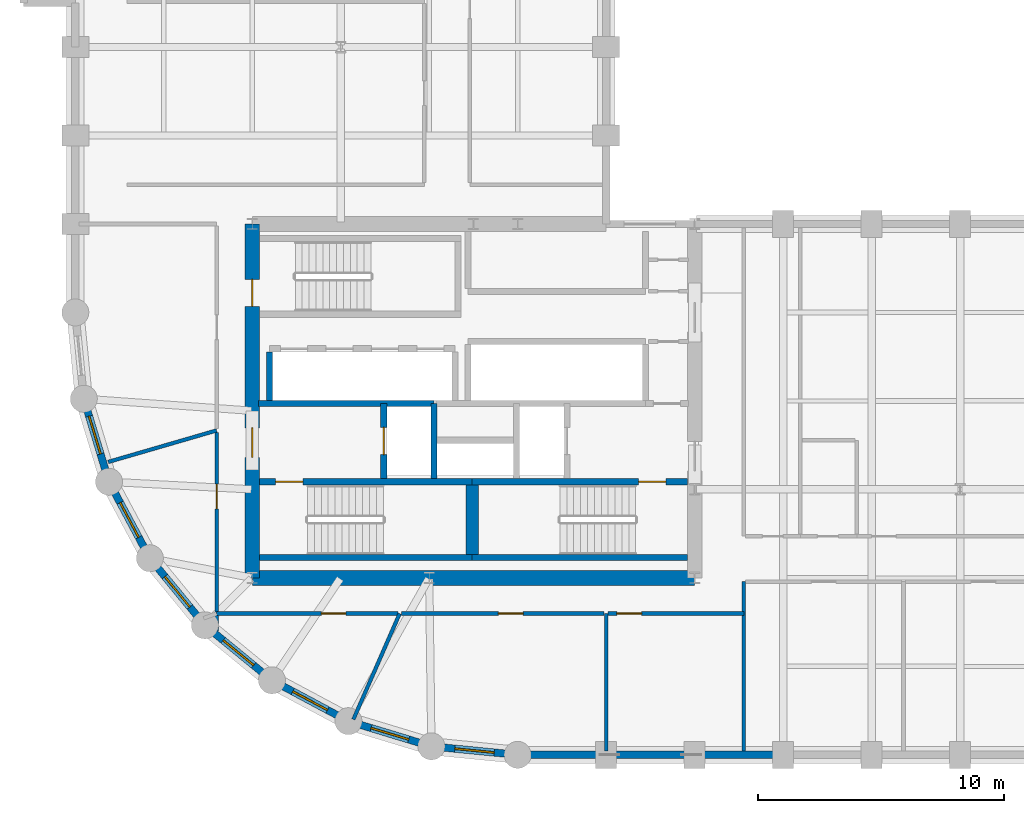
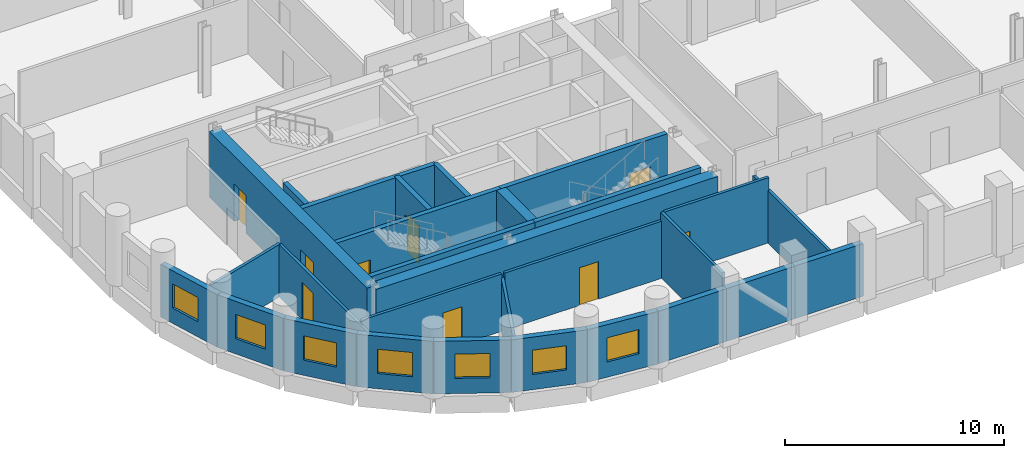
# One storey, part 3 of 8: 29 walls, 9 doors, 7 windows, 16 openings.
"""IFC4 building model written with IfcOpenShell, lengths in metres."""

from ifc_helpers import new_model, si_unit, direction, frame, frame_2d, origin, place, context, subcontext, project, spatial, rectangle, extrude, material, layer, layer_set, type_object, element, fill, save


model = new_model("IFC4")

# Units and contexts
model_context = context("Model", 3, precision=1e-05, world=origin(), true_north=direction((0.0, 1.0)))
body_context = subcontext(model_context, "Body", "Model", "MODEL_VIEW")
ifc_project = project(units=[si_unit("LENGTHUNIT", "METRE"), si_unit("AREAUNIT", "SQUARE_METRE"), si_unit("VOLUMEUNIT", "CUBIC_METRE"), si_unit("PLANEANGLEUNIT", "RADIAN"), si_unit("MASSUNIT", "GRAM", prefix="KILO")], contexts=[model_context])

# Site, building, storey
site_placement = place(None, origin())
site = spatial("IfcSite", under=ifc_project, at=site_placement, CompositionType="ELEMENT")
building_placement = place(site_placement, origin())
building = spatial("IfcBuilding", under=site, at=building_placement, Name="Solnavia Interchange Tower", CompositionType="ELEMENT")
storey_placement = place(building_placement, frame((0.0, 0.0, 84.0)))
storey = spatial("IfcBuildingStorey", under=building, at=storey_placement, Name="L20", CompositionType="ELEMENT", Elevation=84.0)

# Walls
ifc_material_1 = material(Name="Concrete C40/50", Category="concrete")
ifc_layer_1 = layer(ifc_material_1, 0.300048828125)
ifc_layer_set_1 = layer_set([ifc_layer_1], Name="Concrete C40/50")
wall_type_1 = type_object("IfcWallType", Name="Wall-ExtSpandrel-300", PredefinedType="STANDARD", material=ifc_layer_set_1)
wall_1_placement = place(storey_placement, frame((28.800048828125, 3.60009765625, 0.0), z_axis=(0.0, 0.0, 1.0), x_axis=(-1.0, 0.0, 0.0)))
element("IfcWall", 1, at=wall_1_placement, inside=storey, type_object=wall_type_1, Name="EXW-L20-01 Exterior precast spandrel wall", PredefinedType="STANDARD", context=body_context, shape_type="SweptSolid", body=[
    extrude(rectangle(XDim=3.60009765625, YDim=0.300048828125, at=frame_2d((1.800048828125, 0.0))), origin(), (0.0, 0.0, 1.0), 2.929931640625),
])
wall_2_placement = place(storey_placement, frame((32.39990234375, 3.60009765625, 0.0), z_axis=(0.0, 0.0, 1.0), x_axis=(-1.0, 0.0, 0.0)))
element("IfcWall", 2, at=wall_2_placement, inside=storey, type_object=wall_type_1, Name="EXW-L20-02 Exterior precast spandrel wall", PredefinedType="STANDARD", context=body_context, shape_type="SweptSolid", body=[
    extrude(rectangle(XDim=3.599853515625, YDim=0.300048828125, at=frame_2d((1.7998046875, 0.0))), origin(), (0.0, 0.0, 1.0), 2.929931640625),
])
wall_3_placement = place(storey_placement, frame((36.0, 3.60009765625, 0.0), z_axis=(0.0, 0.0, 1.0), x_axis=(-1.0, 0.0, 0.0)))
element("IfcWall", 3, at=wall_3_placement, inside=storey, type_object=wall_type_1, Name="EXW-L20-03 Exterior precast spandrel wall", PredefinedType="STANDARD", context=body_context, shape_type="SweptSolid", body=[
    extrude(rectangle(XDim=3.60009765625, YDim=0.300048828125, at=frame_2d((1.800048828125, 0.0))), origin(), (0.0, 0.0, 1.0), 2.929931640625),
])

# Wall, opening, window
wall_4_placement = place(storey_placement, frame((8.570068359375, 14.7119140625, 0.0), z_axis=(0.0, 0.0, 1.0), x_axis=(-0.290305086481, 0.956934144423, 0.0)))
wall_4 = element("IfcWall", 4, at=wall_4_placement, inside=storey, type_object=wall_type_1, Name="EXW-L20-56 Exterior precast spandrel wall", PredefinedType="STANDARD", context=body_context, shape_type="SweptSolid", body=[
    extrude(rectangle(XDim=3.52783203125, YDim=0.300048828125, at=frame_2d((1.763916015625, 0.0))), origin(), (0.0, 0.0, 1.0), 2.929931640625),
])
opening_1_placement = place(wall_4_placement, frame((1.18408203125, 0.0, 0.85009765625)))
opening_1 = element("IfcOpeningElement", 5, at=opening_1_placement, cuts=wall_4, Name="Opening WIN-04", PredefinedType="OPENING", context=body_context, shape_type="SweptSolid", body=[
    extrude(rectangle(XDim=1.60009765625, YDim=1.35009765625, at=frame_2d((0.800048828125, 0.675048828125))), frame((0.0, 0.16015625, 0.0), z_axis=(0.0, -1.0, 0.0), x_axis=(1.0, 0.0, 0.0)), (0.0, 0.0, 1.0), 0.320068359375),
])
ifc_material_2 = material(Name="Thermal-Break Aluminium & Low-E Glass", Category="aluminium")
window_type = type_object("IfcWindowType", Name="Window-Drum-1600x1350", PartitioningType="SINGLE_PANEL", PredefinedType="WINDOW", material=ifc_material_2)
window_1_placement = place(opening_1_placement, origin())
window_1 = element("IfcWindow", 6, at=window_1_placement, inside=storey, type_object=window_type, Name="WIN-L20-56 Facade ribbon window", OverallHeight=1.35009765625, OverallWidth=1.60009765625, PartitioningType="SINGLE_PANEL", PredefinedType="WINDOW", context=body_context, shape_type="SweptSolid", body=[
    extrude(rectangle(XDim=1.60009765625, YDim=1.35009765625, at=frame_2d((0.800048828125, 0.675048828125))), frame((0.0, 0.030029296875, 0.0), z_axis=(0.0, -1.0, 0.0), x_axis=(1.0, 0.0, 0.0)), (0.0, 0.0, 1.0), 0.06005859375),
])
fill(opening_1, window_1)

wall_5_placement = place(storey_placement, frame((10.23388671875, 11.60009765625, 0.0), z_axis=(0.0, 0.0, 1.0), x_axis=(-0.47151087309, 0.881860247748, 0.0)))
wall_5 = element("IfcWall", 7, at=wall_5_placement, inside=storey, type_object=wall_type_1, Name="EXW-L20-57 Exterior precast spandrel wall", PredefinedType="STANDARD", context=body_context, shape_type="SweptSolid", body=[
    extrude(rectangle(XDim=3.52880859375, YDim=0.300048828125, at=frame_2d((1.764404296875, 0.0))), origin(), (0.0, 0.0, 1.0), 2.929931640625),
])
opening_2_placement = place(wall_5_placement, frame((0.964111328125, 0.0, 0.85009765625)))
opening_2 = element("IfcOpeningElement", 8, at=opening_2_placement, cuts=wall_5, Name="Opening WIN-04", PredefinedType="OPENING", context=body_context, shape_type="SweptSolid", body=[
    extrude(rectangle(XDim=1.60009765625, YDim=1.35009765625, at=frame_2d((0.800048828125, 0.675048828125))), frame((0.0, 0.16015625, 0.0), z_axis=(0.0, -1.0, 0.0), x_axis=(1.0, 0.0, 0.0)), (0.0, 0.0, 1.0), 0.320068359375),
])
window_2_placement = place(opening_2_placement, origin())
window_2 = element("IfcWindow", 9, at=window_2_placement, inside=storey, type_object=window_type, Name="WIN-L20-57 Facade ribbon window", OverallHeight=1.35009765625, OverallWidth=1.60009765625, PartitioningType="SINGLE_PANEL", PredefinedType="WINDOW", context=body_context, shape_type="SweptSolid", body=[
    extrude(rectangle(XDim=1.60009765625, YDim=1.35009765625, at=frame_2d((0.800048828125, 0.675048828125))), frame((0.0, 0.030029296875, 0.0), z_axis=(0.0, -1.0, 0.0), x_axis=(1.0, 0.0, 0.0)), (0.0, 0.0, 1.0), 0.06005859375),
])
fill(opening_2, window_2)

wall_6_placement = place(storey_placement, frame((12.471923828125, 8.8720703125, 0.0), z_axis=(0.0, 0.0, 1.0), x_axis=(-0.634258295121, 0.773121216285, 0.0)))
wall_6 = element("IfcWall", 10, at=wall_6_placement, inside=storey, type_object=wall_type_1, Name="EXW-L20-58 Exterior precast spandrel wall", PredefinedType="STANDARD", context=body_context, shape_type="SweptSolid", body=[
    extrude(rectangle(XDim=3.528564453125, YDim=0.300048828125, at=frame_2d((1.76416015625, 0.0))), origin(), (0.0, 0.0, 1.0), 2.929931640625),
])
opening_3_placement = place(wall_6_placement, frame((0.964111328125, 0.0, 0.85009765625)))
opening_3 = element("IfcOpeningElement", 11, at=opening_3_placement, cuts=wall_6, Name="Opening WIN-04", PredefinedType="OPENING", context=body_context, shape_type="SweptSolid", body=[
    extrude(rectangle(XDim=1.60009765625, YDim=1.35009765625, at=frame_2d((0.800048828125, 0.675048828125))), frame((0.0, 0.16015625, 0.0), z_axis=(0.0, -1.0, 0.0), x_axis=(1.0, 0.0, 0.0)), (0.0, 0.0, 1.0), 0.320068359375),
])
window_3_placement = place(opening_3_placement, origin())
window_3 = element("IfcWindow", 12, at=window_3_placement, inside=storey, type_object=window_type, Name="WIN-L20-58 Facade ribbon window", OverallHeight=1.35009765625, OverallWidth=1.60009765625, PartitioningType="SINGLE_PANEL", PredefinedType="WINDOW", context=body_context, shape_type="SweptSolid", body=[
    extrude(rectangle(XDim=1.60009765625, YDim=1.35009765625, at=frame_2d((0.800048828125, 0.675048828125))), frame((0.0, 0.030029296875, 0.0), z_axis=(0.0, -1.0, 0.0), x_axis=(1.0, 0.0, 0.0)), (0.0, 0.0, 1.0), 0.06005859375),
])
fill(opening_3, window_3)

wall_7_placement = place(storey_placement, frame((15.199951171875, 6.634033203125, 0.0), z_axis=(0.0, 0.0, 1.0), x_axis=(-0.773121216285, 0.634258295121, 0.0)))
wall_7 = element("IfcWall", 13, at=wall_7_placement, inside=storey, type_object=wall_type_1, Name="EXW-L20-59 Exterior precast spandrel wall", PredefinedType="STANDARD", context=body_context, shape_type="SweptSolid", body=[
    extrude(rectangle(XDim=3.528564453125, YDim=0.300048828125, at=frame_2d((1.76416015625, 0.0))), origin(), (0.0, 0.0, 1.0), 2.929931640625),
])
opening_4_placement = place(wall_7_placement, frame((0.964111328125, 0.0, 0.85009765625)))
opening_4 = element("IfcOpeningElement", 14, at=opening_4_placement, cuts=wall_7, Name="Opening WIN-04", PredefinedType="OPENING", context=body_context, shape_type="SweptSolid", body=[
    extrude(rectangle(XDim=1.60009765625, YDim=1.35009765625, at=frame_2d((0.800048828125, 0.675048828125))), frame((0.0, 0.16015625, 0.0), z_axis=(0.0, -1.0, 0.0), x_axis=(1.0, 0.0, 0.0)), (0.0, 0.0, 1.0), 0.320068359375),
])
window_4_placement = place(opening_4_placement, origin())
window_4 = element("IfcWindow", 15, at=window_4_placement, inside=storey, type_object=window_type, Name="WIN-L20-59 Facade ribbon window", OverallHeight=1.35009765625, OverallWidth=1.60009765625, PartitioningType="SINGLE_PANEL", PredefinedType="WINDOW", context=body_context, shape_type="SweptSolid", body=[
    extrude(rectangle(XDim=1.60009765625, YDim=1.35009765625, at=frame_2d((0.800048828125, 0.675048828125))), frame((0.0, 0.030029296875, 0.0), z_axis=(0.0, -1.0, 0.0), x_axis=(1.0, 0.0, 0.0)), (0.0, 0.0, 1.0), 0.06005859375),
])
fill(opening_4, window_4)

wall_8_placement = place(storey_placement, frame((18.31201171875, 4.969970703125, 0.0), z_axis=(0.0, 0.0, 1.0), x_axis=(-0.881846862014, 0.471535907389, 0.0)))
wall_8 = element("IfcWall", 16, at=wall_8_placement, inside=storey, type_object=wall_type_1, Name="EXW-L20-60 Exterior precast spandrel wall", PredefinedType="STANDARD", context=body_context, shape_type="SweptSolid", body=[
    extrude(rectangle(XDim=3.529052734375, YDim=0.300048828125, at=frame_2d((1.7646484375, 0.0))), origin(), (0.0, 0.0, 1.0), 2.929931640625),
])
opening_5_placement = place(wall_8_placement, frame((0.964111328125, 0.0, 0.85009765625)))
opening_5 = element("IfcOpeningElement", 17, at=opening_5_placement, cuts=wall_8, Name="Opening WIN-04", PredefinedType="OPENING", context=body_context, shape_type="SweptSolid", body=[
    extrude(rectangle(XDim=1.60009765625, YDim=1.35009765625, at=frame_2d((0.800048828125, 0.675048828125))), frame((0.0, 0.16015625, 0.0), z_axis=(0.0, -1.0, 0.0), x_axis=(1.0, 0.0, 0.0)), (0.0, 0.0, 1.0), 0.320068359375),
])
window_5_placement = place(opening_5_placement, origin())
window_5 = element("IfcWindow", 18, at=window_5_placement, inside=storey, type_object=window_type, Name="WIN-L20-60 Facade ribbon window", OverallHeight=1.35009765625, OverallWidth=1.60009765625, PartitioningType="SINGLE_PANEL", PredefinedType="WINDOW", context=body_context, shape_type="SweptSolid", body=[
    extrude(rectangle(XDim=1.60009765625, YDim=1.35009765625, at=frame_2d((0.800048828125, 0.675048828125))), frame((0.0, 0.030029296875, 0.0), z_axis=(0.0, -1.0, 0.0), x_axis=(1.0, 0.0, 0.0)), (0.0, 0.0, 1.0), 0.06005859375),
])
fill(opening_5, window_5)

wall_9_placement = place(storey_placement, frame((21.68798828125, 3.946044921875, 0.0), z_axis=(0.0, 0.0, 1.0), x_axis=(-0.956953367403, 0.290241714123, 0.0)))
wall_9 = element("IfcWall", 19, at=wall_9_placement, inside=storey, type_object=wall_type_1, Name="EXW-L20-61 Exterior precast spandrel wall", PredefinedType="STANDARD", context=body_context, shape_type="SweptSolid", body=[
    extrude(rectangle(XDim=3.52783203125, YDim=0.300048828125, at=frame_2d((1.763916015625, 0.0))), origin(), (0.0, 0.0, 1.0), 2.929931640625),
])
opening_6_placement = place(wall_9_placement, frame((0.964111328125, 0.0, 0.85009765625)))
opening_6 = element("IfcOpeningElement", 20, at=opening_6_placement, cuts=wall_9, Name="Opening WIN-04", PredefinedType="OPENING", context=body_context, shape_type="SweptSolid", body=[
    extrude(rectangle(XDim=1.60009765625, YDim=1.35009765625, at=frame_2d((0.800048828125, 0.675048828125))), frame((0.0, 0.16015625, 0.0), z_axis=(0.0, -1.0, 0.0), x_axis=(1.0, 0.0, 0.0)), (0.0, 0.0, 1.0), 0.320068359375),
])
window_6_placement = place(opening_6_placement, origin())
window_6 = element("IfcWindow", 21, at=window_6_placement, inside=storey, type_object=window_type, Name="WIN-L20-61 Facade ribbon window", OverallHeight=1.35009765625, OverallWidth=1.60009765625, PartitioningType="SINGLE_PANEL", PredefinedType="WINDOW", context=body_context, shape_type="SweptSolid", body=[
    extrude(rectangle(XDim=1.60009765625, YDim=1.35009765625, at=frame_2d((0.800048828125, 0.675048828125))), frame((0.0, 0.030029296875, 0.0), z_axis=(0.0, -1.0, 0.0), x_axis=(1.0, 0.0, 0.0)), (0.0, 0.0, 1.0), 0.06005859375),
])
fill(opening_6, window_6)

wall_10_placement = place(storey_placement, frame((25.199951171875, 3.60009765625, 0.0), z_axis=(0.0, 0.0, 1.0), x_axis=(-0.995183369056, 0.098030923459, 0.0)))
wall_10 = element("IfcWall", 22, at=wall_10_placement, inside=storey, type_object=wall_type_1, Name="EXW-L20-62 Exterior precast spandrel wall", PredefinedType="STANDARD", context=body_context, shape_type="SweptSolid", body=[
    extrude(rectangle(XDim=3.529052734375, YDim=0.300048828125, at=frame_2d((1.7646484375, 0.0))), origin(), (0.0, 0.0, 1.0), 2.929931640625),
])
opening_7_placement = place(wall_10_placement, frame((0.965087890625, 0.0, 0.85009765625)))
opening_7 = element("IfcOpeningElement", 23, at=opening_7_placement, cuts=wall_10, Name="Opening WIN-04", PredefinedType="OPENING", context=body_context, shape_type="SweptSolid", body=[
    extrude(rectangle(XDim=1.60009765625, YDim=1.35009765625, at=frame_2d((0.800048828125, 0.675048828125))), frame((0.0, 0.16015625, 0.0), z_axis=(0.0, -1.0, 0.0), x_axis=(1.0, 0.0, 0.0)), (0.0, 0.0, 1.0), 0.320068359375),
])
window_7_placement = place(opening_7_placement, origin())
window_7 = element("IfcWindow", 24, at=window_7_placement, inside=storey, type_object=window_type, Name="WIN-L20-62 Facade ribbon window", OverallHeight=1.35009765625, OverallWidth=1.60009765625, PartitioningType="SINGLE_PANEL", PredefinedType="WINDOW", context=body_context, shape_type="SweptSolid", body=[
    extrude(rectangle(XDim=1.60009765625, YDim=1.35009765625, at=frame_2d((0.800048828125, 0.675048828125))), frame((0.0, 0.030029296875, 0.0), z_axis=(0.0, -1.0, 0.0), x_axis=(1.0, 0.0, 0.0)), (0.0, 0.0, 1.0), 0.06005859375),
])
fill(opening_7, window_7)

# Walls
ifc_material_3 = material(Name="Gypsum Plasterboard & Steel Stud", Category="steel")
ifc_layer_2 = layer(ifc_material_3, 0.14990234375)
ifc_layer_set_2 = layer_set([ifc_layer_2], Name="Gypsum Plasterboard & Steel Stud")
wall_type_2 = type_object("IfcWallType", Name="Wall-Partition-150", PredefinedType="PARTITIONING", material=ifc_layer_set_2)
wall_11_placement = place(storey_placement, frame((28.800048828125, 9.35009765625, 0.0), z_axis=(0.0, 0.0, 1.0), x_axis=(0.0, -1.0, 0.0)))
element("IfcWall", 25, at=wall_11_placement, inside=storey, type_object=wall_type_2, Name="PTW-L20-08 Interior partition wall", PredefinedType="PARTITIONING", context=body_context, shape_type="SweptSolid", body=[
    extrude(rectangle(XDim=5.59619140625, YDim=0.14990234375, at=frame_2d((2.798095703125, 0.0))), origin(), (0.0, 0.0, 1.0), 3.635009765625),
])
wall_12_placement = place(storey_placement, frame((12.949951171875, 16.800048828125, 0.0), z_axis=(0.0, 0.0, 1.0), x_axis=(-0.960237798553, -0.279183398915, 0.0)))
element("IfcWall", 26, at=wall_12_placement, inside=storey, type_object=wall_type_2, Name="PTW-L20-09 Interior partition wall", PredefinedType="PARTITIONING", context=body_context, shape_type="SweptSolid", body=[
    extrude(rectangle(XDim=4.5927734375, YDim=0.14990234375, at=frame_2d((2.29638671875, 0.0))), origin(), (0.0, 0.0, 1.0), 2.929931640625),
])
wall_13_placement = place(storey_placement, frame((20.39990234375, 9.35009765625, 0.0), z_axis=(0.0, 0.0, 1.0), x_axis=(-0.400957621756, -0.916096602742, 0.0)))
element("IfcWall", 27, at=wall_13_placement, inside=storey, type_object=wall_type_2, Name="PTW-L20-11 Interior partition wall", PredefinedType="PARTITIONING", context=body_context, shape_type="SweptSolid", body=[
    extrude(rectangle(XDim=4.7060546875, YDim=0.14990234375, at=frame_2d((2.35302734375, 0.0))), origin(), (0.0, 0.0, 1.0), 2.929931640625),
])

# Wall, opening, door
wall_14_placement = place(storey_placement, frame((12.949951171875, 8.6337890625, 0.0), z_axis=(0.0, 0.0, 1.0), x_axis=(0.0, 1.0, 0.0)))
wall_14 = element("IfcWall", 28, at=wall_14_placement, inside=storey, type_object=wall_type_2, Name="PTW-L20-13 Interior partition wall", PredefinedType="PARTITIONING", context=body_context, shape_type="SweptSolid", body=[
    extrude(rectangle(XDim=8.087158203125, YDim=0.14990234375, at=frame_2d((4.04345703125, 0.0))), origin(), (0.0, 0.0, 1.0), 2.929931640625),
])
opening_8_placement = place(wall_14_placement, frame((4.97705078125, 0.0, 0.0)))
opening_8 = element("IfcOpeningElement", 29, at=opening_8_placement, cuts=wall_14, Name="Opening DR-07", PredefinedType="OPENING", context=body_context, shape_type="SweptSolid", body=[
    extrude(rectangle(XDim=1.0, YDim=2.10009765625, at=frame_2d((0.5, 1.050048828125))), frame((0.0, 0.0849609375, 0.0), z_axis=(0.0, -1.0, 0.0), x_axis=(1.0, 0.0, 0.0)), (0.0, 0.0, 1.0), 0.169921875),
])
ifc_material_4 = material(Name="Timber & Acoustic Glazed Office Door", Category="wood")
door_type_1 = type_object("IfcDoorType", Name="Door-Office-1000x2100", OperationType="SINGLE_SWING_RIGHT", PredefinedType="DOOR", material=ifc_material_4)
door_1_placement = place(opening_8_placement, origin())
door_1 = element("IfcDoor", 30, at=door_1_placement, inside=storey, type_object=door_type_1, Name="DR-L20-04 Interior room door", OperationType="SINGLE_SWING_RIGHT", OverallHeight=2.10009765625, OverallWidth=1.0, PredefinedType="DOOR", context=body_context, shape_type="SweptSolid", body=[
    extrude(rectangle(XDim=1.0, YDim=2.10009765625, at=frame_2d((0.5, 1.050048828125))), frame((0.0, 0.02490234375, 0.0), z_axis=(0.0, -1.0, 0.0), x_axis=(1.0, 0.0, 0.0)), (0.0, 0.0, 1.0), 0.050048828125),
])
fill(opening_8, door_1)

wall_15_placement = place(storey_placement, frame((12.949951171875, 9.35009765625, 0.0), z_axis=(0.0, 0.0, 1.0), x_axis=(1.0, 0.0, 0.0)))
wall_15 = element("IfcWall", 31, at=wall_15_placement, inside=storey, type_object=wall_type_2, Name="PTW-L20-14 Interior partition wall", PredefinedType="PARTITIONING", context=body_context, shape_type="SweptSolid", body=[
    extrude(rectangle(XDim=7.37109375, YDim=0.14990234375, at=frame_2d((3.685546875, 0.0))), origin(), (0.0, 0.0, 1.0), 3.18994140625),
])
opening_9_placement = place(wall_15_placement, frame((4.260986328125, 0.0, 0.0)))
opening_9 = element("IfcOpeningElement", 32, at=opening_9_placement, cuts=wall_15, Name="Opening DR-07", PredefinedType="OPENING", context=body_context, shape_type="SweptSolid", body=[
    extrude(rectangle(XDim=1.0, YDim=2.10009765625, at=frame_2d((0.5, 1.050048828125))), frame((0.0, 0.0849609375, 0.0), z_axis=(0.0, -1.0, 0.0), x_axis=(1.0, 0.0, 0.0)), (0.0, 0.0, 1.0), 0.169921875),
])
door_2_placement = place(opening_9_placement, origin())
door_2 = element("IfcDoor", 33, at=door_2_placement, inside=storey, type_object=door_type_1, Name="DR-L20-05 Interior room door", OperationType="SINGLE_SWING_LEFT", OverallHeight=2.10009765625, OverallWidth=1.0, PredefinedType="DOOR", context=body_context, shape_type="SweptSolid", body=[
    extrude(rectangle(XDim=1.0, YDim=2.10009765625, at=frame_2d((0.5, 1.050048828125))), frame((0.0, 0.02490234375, 0.0), z_axis=(0.0, -1.0, 0.0), x_axis=(1.0, 0.0, 0.0)), (0.0, 0.0, 1.0), 0.050048828125),
])
fill(opening_9, door_2)

wall_16_placement = place(storey_placement, frame((20.47900390625, 9.35009765625, 0.0), z_axis=(0.0, 0.0, 1.0), x_axis=(1.0, 0.0, 0.0)))
wall_16 = element("IfcWall", 34, at=wall_16_placement, inside=storey, type_object=wall_type_2, Name="PTW-L20-15 Interior partition wall", PredefinedType="PARTITIONING", context=body_context, shape_type="SweptSolid", body=[
    extrude(rectangle(XDim=8.241943359375, YDim=0.14990234375, at=frame_2d((4.12109375, 0.0))), origin(), (0.0, 0.0, 1.0), 3.179931640625),
])
opening_10_placement = place(wall_16_placement, frame((3.93896484375, 0.0, 0.0)))
opening_10 = element("IfcOpeningElement", 35, at=opening_10_placement, cuts=wall_16, Name="Opening DR-07", PredefinedType="OPENING", context=body_context, shape_type="SweptSolid", body=[
    extrude(rectangle(XDim=1.0, YDim=2.10009765625, at=frame_2d((0.5, 1.050048828125))), frame((0.0, 0.0849609375, 0.0), z_axis=(0.0, -1.0, 0.0), x_axis=(1.0, 0.0, 0.0)), (0.0, 0.0, 1.0), 0.169921875),
])
door_3_placement = place(opening_10_placement, origin())
door_3 = element("IfcDoor", 36, at=door_3_placement, inside=storey, type_object=door_type_1, Name="DR-L20-06 Interior room door", OperationType="SINGLE_SWING_RIGHT", OverallHeight=2.10009765625, OverallWidth=1.0, PredefinedType="DOOR", context=body_context, shape_type="SweptSolid", body=[
    extrude(rectangle(XDim=1.0, YDim=2.10009765625, at=frame_2d((0.5, 1.050048828125))), frame((0.0, 0.02490234375, 0.0), z_axis=(0.0, -1.0, 0.0), x_axis=(1.0, 0.0, 0.0)), (0.0, 0.0, 1.0), 0.050048828125),
])
fill(opening_10, door_3)

wall_17_placement = place(storey_placement, frame((28.87890625, 9.35009765625, 0.0), z_axis=(0.0, 0.0, 1.0), x_axis=(1.0, 0.0, 0.0)))
wall_17 = element("IfcWall", 37, at=wall_17_placement, inside=storey, type_object=wall_type_2, Name="PTW-L20-16 Interior partition wall", PredefinedType="PARTITIONING", context=body_context, shape_type="SweptSolid", body=[
    extrude(rectangle(XDim=5.52099609375, YDim=0.14990234375, at=frame_2d((2.760498046875, 0.0))), origin(), (0.0, 0.0, 1.0), 3.635009765625),
])
opening_11_placement = place(wall_17_placement, frame((0.360107421875, 0.0, 0.0)))
opening_11 = element("IfcOpeningElement", 38, at=opening_11_placement, cuts=wall_17, Name="Opening DR-07", PredefinedType="OPENING", context=body_context, shape_type="SweptSolid", body=[
    extrude(rectangle(XDim=1.0, YDim=2.10009765625, at=frame_2d((0.5, 1.050048828125))), frame((0.0, 0.0849609375, 0.0), z_axis=(0.0, -1.0, 0.0), x_axis=(1.0, 0.0, 0.0)), (0.0, 0.0, 1.0), 0.169921875),
])
door_4_placement = place(opening_11_placement, origin())
door_4 = element("IfcDoor", 39, at=door_4_placement, inside=storey, type_object=door_type_1, Name="DR-L20-07 Interior room door", OperationType="SINGLE_SWING_LEFT", OverallHeight=2.10009765625, OverallWidth=1.0, PredefinedType="DOOR", context=body_context, shape_type="SweptSolid", body=[
    extrude(rectangle(XDim=1.0, YDim=2.10009765625, at=frame_2d((0.5, 1.050048828125))), frame((0.0, 0.02490234375, 0.0), z_axis=(0.0, -1.0, 0.0), x_axis=(1.0, 0.0, 0.0)), (0.0, 0.0, 1.0), 0.050048828125),
])
fill(opening_11, door_4)

# Walls
wall_18_placement = place(storey_placement, frame((34.39990234375, 3.75390625, 0.0), z_axis=(0.0, 0.0, 1.0), x_axis=(0.0, 1.0, 0.0)))
element("IfcWall", 40, at=wall_18_placement, inside=storey, type_object=wall_type_2, Name="PTW-L20-17 Interior partition wall", PredefinedType="PARTITIONING", context=body_context, shape_type="SweptSolid", body=[
    extrude(rectangle(XDim=6.89599609375, YDim=0.14990234375, at=frame_2d((3.447998046875, 0.0))), origin(), (0.0, 0.0, 1.0), 2.929931640625),
])
ifc_layer_3 = layer(ifc_material_1, 0.25)
ifc_layer_set_3 = layer_set([ifc_layer_3], Name="Concrete C40/50")
wall_type_3 = type_object("IfcWallType", Name="Wall-ShaftCore-250", PredefinedType="SHEAR", material=ifc_layer_set_3)
wall_19_placement = place(storey_placement, frame((14.699951171875, 11.625, 0.0), z_axis=(0.0, 0.0, 1.0), x_axis=(1.0, 0.0, 0.0)))
element("IfcWall", 41, at=wall_19_placement, inside=storey, type_object=wall_type_3, Name="SHW-L20-ST1S Core shear wall", PredefinedType="SHEAR", context=body_context, shape_type="SweptSolid", body=[
    extrude(rectangle(XDim=8.650146484375, YDim=0.25, at=frame_2d((4.3251953125, 0.0))), origin(), (0.0, 0.0, 1.0), 3.64990234375),
])

# Wall, opening, door
wall_20_placement = place(storey_placement, frame((14.699951171875, 14.715087890625, 0.0), z_axis=(0.0, 0.0, 1.0), x_axis=(1.0, 0.0, 0.0)))
wall_20 = element("IfcWall", 42, at=wall_20_placement, inside=storey, type_object=wall_type_3, Name="SHW-L20-ST1N Core shear wall", PredefinedType="SHEAR", context=body_context, shape_type="SweptSolid", body=[
    extrude(rectangle(XDim=8.650146484375, YDim=0.25, at=frame_2d((4.3251953125, 0.0))), origin(), (0.0, 0.0, 1.0), 3.64990234375),
])
opening_12_placement = place(wall_20_placement, frame((0.655029296875, 0.0, 0.0)))
opening_12 = element("IfcOpeningElement", 43, at=opening_12_placement, cuts=wall_20, Name="Opening DR-01", PredefinedType="OPENING", context=body_context, shape_type="SweptSolid", body=[
    extrude(rectangle(XDim=1.10009765625, YDim=2.10009765625, at=frame_2d((0.550048828125, 1.050048828125))), frame((0.0, 0.135009765625, 0.0), z_axis=(0.0, -1.0, 0.0), x_axis=(1.0, 0.0, 0.0)), (0.0, 0.0, 1.0), 0.27001953125),
])
ifc_material_5 = material(Name="Steel Fire-Rated Leaf & Frame", Category="steel")
door_type_2 = type_object("IfcDoorType", Name="Door-StairFire-1100x2100", OperationType="SINGLE_SWING_LEFT", PredefinedType="DOOR", material=ifc_material_5)
door_5_placement = place(opening_12_placement, origin())
door_5 = element("IfcDoor", 44, at=door_5_placement, inside=storey, type_object=door_type_2, Name="DR-L20-ST1 Core fire door", OperationType="SINGLE_SWING_LEFT", OverallHeight=2.10009765625, OverallWidth=1.10009765625, PredefinedType="DOOR", context=body_context, shape_type="SweptSolid", body=[
    extrude(rectangle(XDim=1.10009765625, YDim=2.10009765625, at=frame_2d((0.550048828125, 1.050048828125))), frame((0.0, 0.02490234375, 0.0), z_axis=(0.0, -1.0, 0.0), x_axis=(1.0, 0.0, 0.0)), (0.0, 0.0, 1.0), 0.050048828125),
])
fill(opening_12, door_5)

# Wall
wall_21_placement = place(storey_placement, frame((23.35009765625, 11.625, 0.0), z_axis=(0.0, 0.0, 1.0), x_axis=(1.0, 0.0, 0.0)))
element("IfcWall", 45, at=wall_21_placement, inside=storey, type_object=wall_type_3, Name="SHW-L20-ST2S Core shear wall", PredefinedType="SHEAR", context=body_context, shape_type="SweptSolid", body=[
    extrude(rectangle(XDim=8.75, YDim=0.25, at=frame_2d((4.375, 0.0))), origin(), (0.0, 0.0, 1.0), 3.64990234375),
])

# Wall, opening, door
wall_22_placement = place(storey_placement, frame((23.35009765625, 14.715087890625, 0.0), z_axis=(0.0, 0.0, 1.0), x_axis=(1.0, 0.0, 0.0)))
wall_22 = element("IfcWall", 46, at=wall_22_placement, inside=storey, type_object=wall_type_3, Name="SHW-L20-ST2N Core shear wall", PredefinedType="SHEAR", context=body_context, shape_type="SweptSolid", body=[
    extrude(rectangle(XDim=8.75, YDim=0.25, at=frame_2d((4.375, 0.0))), origin(), (0.0, 0.0, 1.0), 3.64990234375),
])
opening_13_placement = place(wall_22_placement, frame((6.77490234375, 0.0, 0.0)))
opening_13 = element("IfcOpeningElement", 47, at=opening_13_placement, cuts=wall_22, Name="Opening DR-01", PredefinedType="OPENING", context=body_context, shape_type="SweptSolid", body=[
    extrude(rectangle(XDim=1.10009765625, YDim=2.10009765625, at=frame_2d((0.550048828125, 1.050048828125))), frame((0.0, 0.135009765625, 0.0), z_axis=(0.0, -1.0, 0.0), x_axis=(1.0, 0.0, 0.0)), (0.0, 0.0, 1.0), 0.27001953125),
])
door_6_placement = place(opening_13_placement, origin())
door_6 = element("IfcDoor", 48, at=door_6_placement, inside=storey, type_object=door_type_2, Name="DR-L20-ST2 Core fire door", OperationType="SINGLE_SWING_LEFT", OverallHeight=2.10009765625, OverallWidth=1.10009765625, PredefinedType="DOOR", context=body_context, shape_type="SweptSolid", body=[
    extrude(rectangle(XDim=1.10009765625, YDim=2.10009765625, at=frame_2d((0.550048828125, 1.050048828125))), frame((0.0, 0.02490234375, 0.0), z_axis=(0.0, -1.0, 0.0), x_axis=(1.0, 0.0, 0.0)), (0.0, 0.0, 1.0), 0.050048828125),
])
fill(opening_13, door_6)

# Wall
ifc_layer_4 = layer(ifc_material_1, 0.25)
ifc_layer_set_4 = layer_set([ifc_layer_4], Name="Concrete C40/50")
wall_type_4 = type_object("IfcWallType", Name="Wall-ShaftPart-250", PredefinedType="PARTITIONING", material=ifc_layer_set_4)
wall_23_placement = place(storey_placement, frame((14.64990234375, 17.89990234375, 0.0), z_axis=(0.0, 0.0, 1.0), x_axis=(1.0, 0.0, 0.0)))
element("IfcWall", 49, at=wall_23_placement, inside=storey, type_object=wall_type_4, Name="SHW-L20-FFLW-N Core shaft wall", PredefinedType="PARTITIONING", context=body_context, shape_type="SweptSolid", body=[
    extrude(rectangle(XDim=7.150146484375, YDim=0.25, at=frame_2d((3.5751953125, 0.0))), origin(), (0.0, 0.0, 1.0), 3.635009765625),
])

# Wall, opening, door
wall_24_placement = place(storey_placement, frame((19.75, 14.840087890625, 0.0), z_axis=(0.0, 0.0, 1.0), x_axis=(0.0, 1.0, 0.0)))
wall_24 = element("IfcWall", 50, at=wall_24_placement, inside=storey, type_object=wall_type_4, Name="SHW-L20-FFL1-W Core shaft wall", PredefinedType="PARTITIONING", context=body_context, shape_type="SweptSolid", body=[
    extrude(rectangle(XDim=3.059814453125, YDim=0.25, at=frame_2d((1.52978515625, 0.0))), origin(), (0.0, 0.0, 1.0), 3.635009765625),
])
opening_14_placement = place(wall_24_placement, frame((0.97998046875, 0.0, 0.0)))
opening_14 = element("IfcOpeningElement", 51, at=opening_14_placement, cuts=wall_24, Name="Opening LD-01", PredefinedType="OPENING", context=body_context, shape_type="SweptSolid", body=[
    extrude(rectangle(XDim=1.10009765625, YDim=2.10009765625, at=frame_2d((0.550048828125, 1.050048828125))), frame((0.0, 0.135009765625, 0.0), z_axis=(0.0, -1.0, 0.0), x_axis=(1.0, 0.0, 0.0)), (0.0, 0.0, 1.0), 0.27001953125),
])
ifc_material_6 = material(Name="Brushed Stainless Steel Sliding Door", Category="steel")
door_type_3 = type_object("IfcDoorType", Name="Door-LiftLanding-1100x2100", OperationType="SLIDING_TO_LEFT", PredefinedType="DOOR", material=ifc_material_6)
door_7_placement = place(opening_14_placement, origin())
door_7 = element("IfcDoor", 52, at=door_7_placement, inside=storey, type_object=door_type_3, Name="LD-L20-FFL1 Lift landing sliding door", OperationType="SLIDING_TO_LEFT", OverallHeight=2.10009765625, OverallWidth=1.10009765625, PredefinedType="DOOR", context=body_context, shape_type="SweptSolid", body=[
    extrude(rectangle(XDim=1.10009765625, YDim=2.10009765625, at=frame_2d((0.550048828125, 1.050048828125))), frame((0.0, 0.02490234375, 0.0), z_axis=(0.0, -1.0, 0.0), x_axis=(1.0, 0.0, 0.0)), (0.0, 0.0, 1.0), 0.050048828125),
])
fill(opening_14, door_7)

# Walls
wall_25_placement = place(storey_placement, frame((21.800048828125, 14.840087890625, 0.0), z_axis=(0.0, 0.0, 1.0), x_axis=(0.0, 1.0, 0.0)))
element("IfcWall", 53, at=wall_25_placement, inside=storey, type_object=wall_type_4, Name="SHW-L20-FFL1-E Core shaft wall", PredefinedType="PARTITIONING", context=body_context, shape_type="SweptSolid", body=[
    extrude(rectangle(XDim=3.059814453125, YDim=0.25, at=frame_2d((1.52978515625, 0.0))), origin(), (0.0, 0.0, 1.0), 3.635009765625),
])
wall_26_placement = place(storey_placement, frame((15.10009765625, 18.02490234375, 0.0), z_axis=(0.0, 0.0, 1.0), x_axis=(0.0, 1.0, 0.0)))
element("IfcWall", 54, at=wall_26_placement, inside=storey, type_object=wall_type_4, Name="SHW-L20-B1W Core shaft wall", PredefinedType="PARTITIONING", context=body_context, shape_type="SweptSolid", body=[
    extrude(rectangle(XDim=1.97509765625, YDim=0.25, at=frame_2d((0.987548828125, 0.0))), origin(), (0.0, 0.0, 1.0), 3.635009765625),
])
ifc_material_7 = material(Name="Concrete C60/75", Category="concrete")
ifc_layer_5 = layer(ifc_material_7, 0.5)
ifc_layer_set_5 = layer_set([ifc_layer_5], Name="Concrete C60/75")
wall_type_5 = type_object("IfcWallType", Name="Wall-ShearCore-500", PredefinedType="SHEAR", material=ifc_layer_set_5)
wall_27_placement = place(storey_placement, frame((23.35009765625, 11.75, 0.0), z_axis=(0.0, 0.0, 1.0), x_axis=(0.0, 1.0, 0.0)))
element("IfcWall", 55, at=wall_27_placement, inside=storey, type_object=wall_type_5, Name="SHW-L20-ST12M Core shear wall", PredefinedType="SHEAR", context=body_context, shape_type="SweptSolid", body=[
    extrude(rectangle(XDim=2.840087890625, YDim=0.5, at=frame_2d((1.419921875, 0.0))), origin(), (0.0, 0.0, 1.0), 3.64990234375),
])
ifc_layer_6 = layer(ifc_material_7, 0.60009765625)
ifc_layer_set_6 = layer_set([ifc_layer_6], Name="Concrete C60/75")
wall_type_6 = type_object("IfcWallType", Name="Wall-ShearCore-600", PredefinedType="SHEAR", material=ifc_layer_set_6)
wall_28_placement = place(storey_placement, frame((14.39990234375, 10.800048828125, 0.0), z_axis=(0.0, 0.0, 1.0), x_axis=(1.0, 0.0, 0.0)))
element("IfcWall", 56, at=wall_28_placement, inside=storey, type_object=wall_type_6, Name="CRW-L20-S Core shear wall", PredefinedType="SHEAR", context=body_context, shape_type="SweptSolid", body=[
    extrude(rectangle(XDim=18.0, YDim=0.60009765625, at=frame_2d((9.0, 0.0))), origin(), (0.0, 0.0, 1.0), 3.64990234375),
])

# Wall, openings, doors
wall_29_placement = place(storey_placement, frame((14.39990234375, 10.800048828125, 0.0), z_axis=(0.0, 0.0, 1.0), x_axis=(0.0, 1.0, 0.0)))
wall_29 = element("IfcWall", 57, at=wall_29_placement, inside=storey, type_object=wall_type_6, Name="CRW-L20-W Core shear wall", PredefinedType="SHEAR", context=body_context, shape_type="SweptSolid", body=[
    extrude(rectangle(XDim=14.39990234375, YDim=0.60009765625, at=frame_2d((7.199951171875, 0.0))), origin(), (0.0, 0.0, 1.0), 3.64990234375),
])
opening_15_placement = place(wall_29_placement, frame((11.050048828125, 0.0, 0.0)))
opening_15 = element("IfcOpeningElement", 58, at=opening_15_placement, cuts=wall_29, Name="Opening DR-01", PredefinedType="OPENING", context=body_context, shape_type="SweptSolid", body=[
    extrude(rectangle(XDim=1.10009765625, YDim=2.10009765625, at=frame_2d((0.550048828125, 1.050048828125))), frame((0.0, 0.31005859375, 0.0), z_axis=(0.0, -1.0, 0.0), x_axis=(1.0, 0.0, 0.0)), (0.0, 0.0, 1.0), 0.6201171875),
])
opening_16_placement = place(wall_29_placement, frame((4.89990234375, 0.0, 0.0)))
opening_16 = element("IfcOpeningElement", 59, at=opening_16_placement, cuts=wall_29, Name="Opening DR-02", PredefinedType="OPENING", context=body_context, shape_type="SweptSolid", body=[
    extrude(rectangle(XDim=1.199951171875, YDim=2.10009765625, at=frame_2d((0.60009765625, 1.050048828125))), frame((0.0, 0.31005859375, 0.0), z_axis=(0.0, -1.0, 0.0), x_axis=(1.0, 0.0, 0.0)), (0.0, 0.0, 1.0), 0.6201171875),
])
ifc_material_8 = material(Name="Steel Fire-Rated Vision-Panel Door", Category="steel")
door_type_4 = type_object("IfcDoorType", Name="Door-LobbyFire-1200x2100", OperationType="SINGLE_SWING_RIGHT", PredefinedType="DOOR", material=ifc_material_8)
door_8_placement = place(opening_16_placement, origin())
door_8 = element("IfcDoor", 60, at=door_8_placement, inside=storey, type_object=door_type_4, Name="DR-L20-FFL1W Core fire door", OperationType="SINGLE_SWING_RIGHT", OverallHeight=2.10009765625, OverallWidth=1.199951171875, PredefinedType="DOOR", context=body_context, shape_type="SweptSolid", body=[
    extrude(rectangle(XDim=1.199951171875, YDim=2.10009765625, at=frame_2d((0.60009765625, 1.050048828125))), frame((0.0, 0.02490234375, 0.0), z_axis=(0.0, -1.0, 0.0), x_axis=(1.0, 0.0, 0.0)), (0.0, 0.0, 1.0), 0.050048828125),
])
fill(opening_16, door_8)
door_9_placement = place(opening_15_placement, origin())
door_9 = element("IfcDoor", 61, at=door_9_placement, inside=storey, type_object=door_type_2, Name="DR-L20-ST3 Core fire door", OperationType="SINGLE_SWING_RIGHT", OverallHeight=2.10009765625, OverallWidth=1.10009765625, PredefinedType="DOOR", context=body_context, shape_type="SweptSolid", body=[
    extrude(rectangle(XDim=1.10009765625, YDim=2.10009765625, at=frame_2d((0.550048828125, 1.050048828125))), frame((0.0, 0.02490234375, 0.0), z_axis=(0.0, -1.0, 0.0), x_axis=(1.0, 0.0, 0.0)), (0.0, 0.0, 1.0), 0.050048828125),
])
fill(opening_15, door_9)

save(model, "model.ifc")
